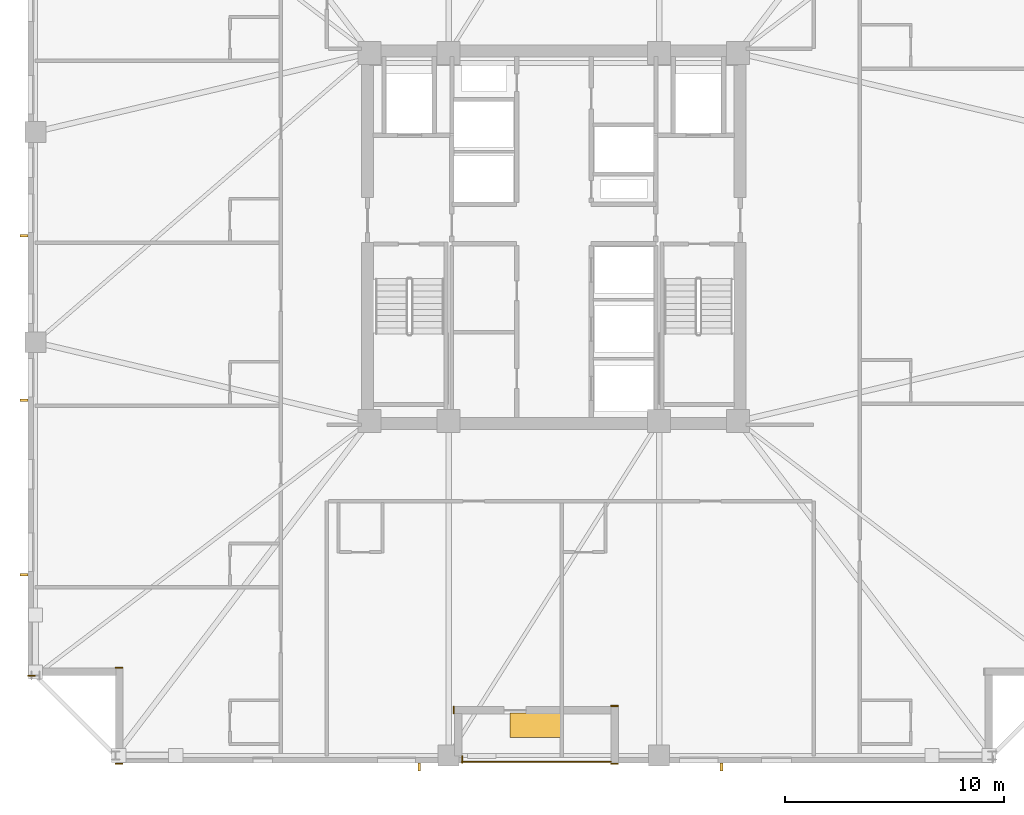
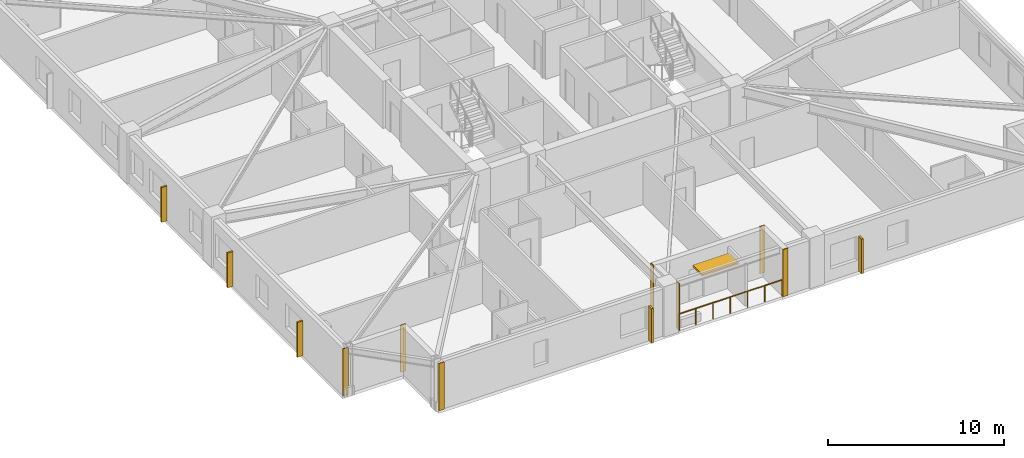
# One storey, part 7 of 11: 7 coverings, 6 shading devices, 1 railing.
"""IFC4 building model written with IfcOpenShell, lengths in metres."""

from ifc_helpers import new_model, si_unit, direction, frame, frame_2d, origin, origin_2d, place, context, subcontext, project, spatial, rectangle, circle, extrude, material, layer, layer_set, type_object, element, save


model = new_model("IFC4")

# Units and contexts
model_context = context("Model", 3, precision=1e-05, world=origin(), true_north=direction((0.0, 1.0)))
body_context = subcontext(model_context, "Body", "Model", "MODEL_VIEW")
ifc_project = project(units=[si_unit("LENGTHUNIT", "METRE"), si_unit("AREAUNIT", "SQUARE_METRE"), si_unit("VOLUMEUNIT", "CUBIC_METRE"), si_unit("PLANEANGLEUNIT", "RADIAN"), si_unit("MASSUNIT", "GRAM", prefix="KILO")], contexts=[model_context])

# Site, building, storey
site_placement = place(None, origin())
site = spatial("IfcSite", under=ifc_project, at=site_placement, CompositionType="ELEMENT")
building_placement = place(site_placement, origin())
building = spatial("IfcBuilding", under=site, at=building_placement, Name="Cairnveth Concourse Tower", CompositionType="ELEMENT")
storey_placement = place(building_placement, frame((0.0, 0.0, 151.5)))
storey = spatial("IfcBuildingStorey", under=building, at=storey_placement, Name="L41", CompositionType="ELEMENT", Elevation=151.5)

# Coverings
ifc_material_1 = material(Name="Dressed Melbourne Bluestone Cladding", Category="masonry")
ifc_layer = layer(ifc_material_1, 0.050048828125)
ifc_layer_set = layer_set([ifc_layer], Name="Dressed Melbourne Bluestone Cladding")
covering_type = type_object("IfcCoveringType", Name="DRESSED BLUESTONE PLINTH CLADDING 50", PredefinedType="CLADDING", material=ifc_layer_set)
for number, where, z_axis, x_axis, name in (
    (1, (47.820068359375, 15.340087890625, 0.0), (0.0, 0.0, 1.0), (0.0, -1.0, 0.0), "Melbourne Bluestone Corner Quoin L41-595"),
    (2, (32.340087890625, 14.97998046875, 0.0), (0.0, 0.0, 1.0), (-1.0, 0.0, 0.0), "Melbourne Bluestone Corner Quoin L41-596"),
    (3, (32.340087890625, 19.360107421875, 0.0), (0.0, 0.0, 1.0), (-1.0, 0.0, 0.0), "Melbourne Bluestone Corner Quoin L41-597"),
    (4, (28.340087890625, 18.97998046875, 0.0), (0.0, 0.0, 1.0), (-1.0, 0.0, 0.0), "Melbourne Bluestone Corner Quoin L41-598"),
):
    element("IfcCovering", number, at=place(storey_placement, frame(where, z_axis=z_axis, x_axis=x_axis)), inside=storey, type_object=covering_type, Name=name, PredefinedType="CLADDING", context=body_context, shape_type="SweptSolid", body=[
        extrude(rectangle(XDim=0.340087890625, YDim=0.050048828125, at=frame_2d((0.169921875, 0.0))), origin(), (0.0, 0.0, 1.0), 3.280029296875),
    ])
for number, where, z_axis, x_axis, name in (
    (5, (54.93994140625, 14.97998046875, 0.0), (0.0, 0.0, 1.0), (-1.0, 0.0, 0.0), "Melbourne Bluestone Corner Quoin L41-608"),
    (6, (54.93994140625, 17.610107421875, 0.0), (0.0, 0.0, 1.0), (-1.0, 0.0, 0.0), "Melbourne Bluestone Corner Quoin L41-609"),
):
    element("IfcCovering", number, at=place(storey_placement, frame(where, z_axis=z_axis, x_axis=x_axis)), inside=storey, type_object=covering_type, Name=name, PredefinedType="CLADDING", context=body_context, shape_type="SweptSolid", body=[
        extrude(rectangle(XDim=0.33984375, YDim=0.050048828125, at=frame_2d((0.169921875, 0.0))), origin(), (0.0, 0.0, 1.0), 3.280029296875),
    ])
covering_placement = place(storey_placement, frame((47.43994140625, 17.590087890625, 0.0), z_axis=(0.0, 0.0, 1.0), x_axis=(0.0, -1.0, 0.0)))
element("IfcCovering", 7, at=covering_placement, inside=storey, type_object=covering_type, Name="Melbourne Bluestone Corner Quoin L41-610", PredefinedType="CLADDING", context=body_context, shape_type="SweptSolid", body=[
    extrude(rectangle(XDim=0.340087890625, YDim=0.050048828125, at=frame_2d((0.169921875, 0.0))), origin(), (0.0, 0.0, 1.0), 3.280029296875),
])

# Shading devices
ifc_material_2 = material(Name="Architectural Bronze Anodised Aluminium 6063-T6", Category="aluminium")
shading_device_type_1 = type_object("IfcShadingDeviceType", Name="GOTHIC BRONZE VERTICAL LANCET FIN", PredefinedType="USERDEFINED", material=ifc_material_2)
for number, where, z_axis, x_axis, name in (
    (8, (45.854736328125, 14.824951171875, 0.030029296875), (0.0, 0.0, 1.0), (1.0, 0.0, 0.0), "Gothic Bronze Vertical Fin L41-0-1"),
    (9, (27.824951171875, 23.591796875, 0.030029296875), (0.0, 0.0, 1.0), (0.0, 1.0, 0.0), "Gothic Bronze Vertical Fin L41-3-1"),
    (10, (27.824951171875, 31.548828125, 0.030029296875), (0.0, 0.0, 1.0), (0.0, 1.0, 0.0), "Gothic Bronze Vertical Fin L41-3-3"),
    (11, (27.824951171875, 39.055908203125, 0.030029296875), (0.0, 0.0, 1.0), (0.0, 1.0, 0.0), "Gothic Bronze Vertical Fin L41-3-5"),
    (12, (59.64990234375, 14.824951171875, 0.030029296875), (0.0, 0.0, 1.0), (1.0, 0.0, 0.0), "Gothic Bronze Vertical Fin L41-12-3"),
):
    element("IfcShadingDevice", number, at=place(storey_placement, frame(where, z_axis=z_axis, x_axis=x_axis)), inside=storey, type_object=shading_device_type_1, Name=name, ObjectType="VERTICAL FIN", PredefinedType="USERDEFINED", context=body_context, shape_type="SweptSolid", body=[
        extrude(rectangle(XDim=0.1201171875, YDim=0.360107421875, at=origin_2d()), origin(), (0.0, 0.0, 1.0), 2.419921875),
    ])
shading_device_type_2 = type_object("IfcShadingDeviceType", Name="SPIRAL TERRACE SUNSHADE CANOPY", PredefinedType="USERDEFINED", material=ifc_material_2)
shading_device_placement = place(storey_placement, frame((51.199951171875, 16.72998046875, 2.300048828125), z_axis=(0.0, 0.0, 1.0), x_axis=(1.0, 0.0, 0.0)))
element("IfcShadingDevice", 13, at=shading_device_placement, inside=storey, type_object=shading_device_type_2, Name="Spiral Terrace Sunshade L41", ObjectType="TERRACE SUNSHADE", PredefinedType="USERDEFINED", context=body_context, shape_type="SweptSolid", body=[
    extrude(rectangle(XDim=2.39990234375, YDim=1.10009765625, at=origin_2d()), origin(), (0.0, 0.0, 1.0), 0.1201171875),
])

# Railing
railing_type = type_object("IfcRailingType", Name="TERRACE BRONZE BALUSTRADE 1150", PredefinedType="BALUSTRADE", material=ifc_material_2)
railing_placement = place(storey_placement, frame((47.800048828125, 15.06005859375, 0.0)))
element("IfcRailing", 14, at=railing_placement, inside=storey, type_object=railing_type, Name="Terrace Balustrade RL-L41-TERR", PredefinedType="BALUSTRADE", context=body_context, shape_type="SweptSolid", body=[
    extrude(circle(Radius=0.02490234375, at=origin_2d()), frame((0.0, 0.0, 1.125), z_axis=(1.0, 0.0, 0.0), x_axis=(0.0, 1.0, 0.0)), (0.0, 0.0, 1.0), 6.800048828125),
    extrude(circle(Radius=0.02099609375, at=origin_2d()), origin(), (0.0, 0.0, 1.0), 1.099853515625),
    extrude(circle(Radius=0.02099609375, at=origin_2d()), frame((1.13330078125, 0.0, 0.0)), (0.0, 0.0, 1.0), 1.099853515625),
    extrude(circle(Radius=0.02099609375, at=origin_2d()), frame((2.2666015625, 0.0, 0.0)), (0.0, 0.0, 1.0), 1.099853515625),
    extrude(circle(Radius=0.02099609375, at=origin_2d()), frame((3.39990234375, 0.0, 0.0)), (0.0, 0.0, 1.0), 1.099853515625),
    extrude(circle(Radius=0.02099609375, at=origin_2d()), frame((4.533447265625, 0.0, 0.0)), (0.0, 0.0, 1.0), 1.099853515625),
    extrude(circle(Radius=0.02099609375, at=origin_2d()), frame((5.666748046875, 0.0, 0.0)), (0.0, 0.0, 1.0), 1.099853515625),
    extrude(circle(Radius=0.02099609375, at=origin_2d()), frame((6.800048828125, 0.0, 0.0)), (0.0, 0.0, 1.0), 1.099853515625),
])

save(model, "model.ifc")
